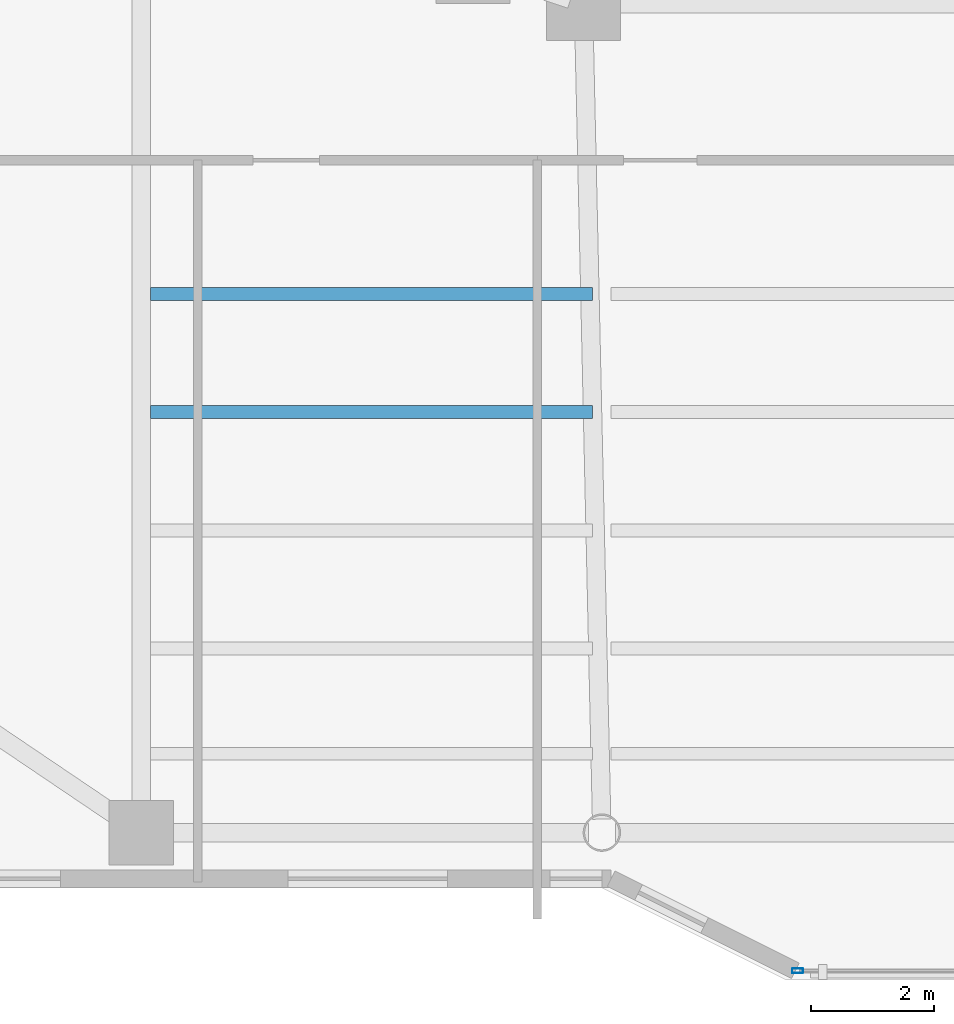
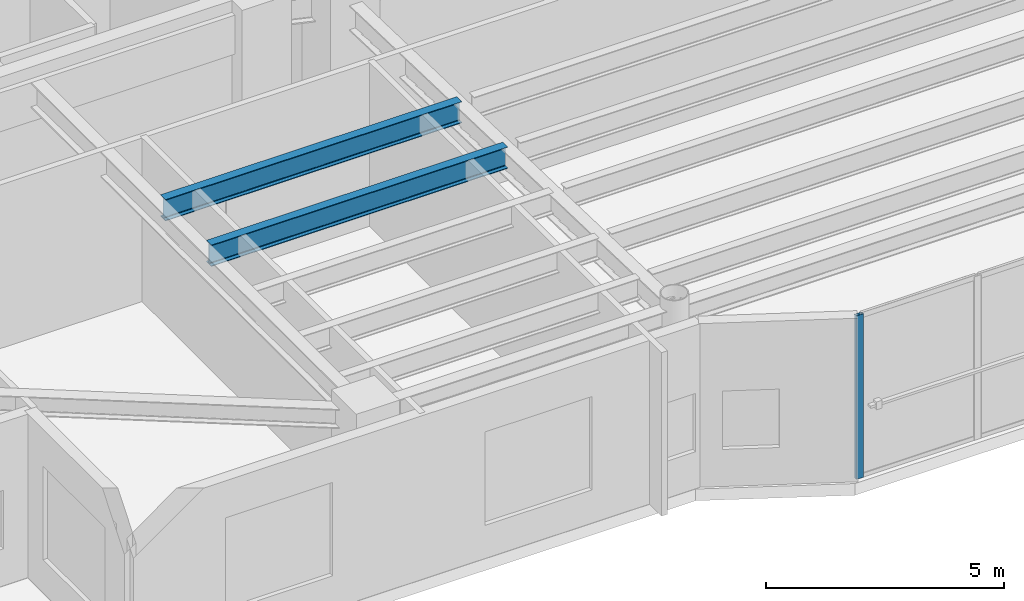
# One storey, part 4 of 37: 2 beams, 1 member, 1 element without a shape of its own.
"""IFC4 building model written with IfcOpenShell, lengths in metres."""

import ifcopenshell
import ifcopenshell.guid

model = None  # the IFC model being written
_history = None  # IfcOwnerHistory: only IFC2X3 demands one
_inside = {}  # id of a spatial element -> (the spatial element, [elements in it])
_under = {}  # id of a project, library or spatial element -> (it, [spatial elements below it])
_declared = {}  # id of a project -> (the project, [libraries it declares])
_typed = {}  # id of a type object -> (the type object, [elements of that type])
_made_of = {}  # id of a material, layer set ... -> (it, [elements and type objects made of it])


def new_model(schema):
    """Start an empty IFC model of exactly this schema.

    Asked for "IFC4X3", IfcOpenShell would pick the latest addendum, in which some entities
    have other attributes; the version numbers below select the first issue.
    IFC2X3 requires an IfcOwnerHistory on every rooted entity: one is made here for all.
    """
    global model, _history
    if schema == "IFC4X3":
        model = ifcopenshell.file(schema_version=(4, 3, 0, 0))
    else:
        model = ifcopenshell.file(schema=schema)
    _inside.clear()
    _under.clear()
    _declared.clear()
    _typed.clear()
    _made_of.clear()
    _history = None
    if model.schema == "IFC2X3":
        org = make("IfcOrganization", Name="unknown")
        user = make(
            "IfcPersonAndOrganization",
            ThePerson=make("IfcPerson", FamilyName="unknown"),
            TheOrganization=org,
        )
        app = make(
            "IfcApplication",
            ApplicationDeveloper=org,
            Version="unknown",
            ApplicationFullName="unknown",
            ApplicationIdentifier="unknown",
        )
        _history = make(
            "IfcOwnerHistory",
            OwningUser=user,
            OwningApplication=app,
            ChangeAction="ADDED",
            CreationDate=0,
        )
    return model


def make(cls, **values):
    """One entity of the class cls with the attributes given. An attribute that is None is left unset."""
    return model.create_entity(
        cls, **{name: value for name, value in values.items() if value is not None}
    )


def rooted(cls, **values):
    """An entity with a GlobalId (a new one), such as an element, a storey or a relation."""
    return make(cls, GlobalId=ifcopenshell.guid.new(), OwnerHistory=_history, **values)


def si_unit(unit_type, name, prefix=None):
    """IfcSIUnit, for example si_unit("LENGTHUNIT", "METRE", prefix="MILLI")."""
    return make("IfcSIUnit", UnitType=unit_type, Prefix=prefix, Name=name)


def assignment(units):
    """IfcUnitAssignment: the units of a project."""
    return None if units is None else make("IfcUnitAssignment", Units=units)


def point(xyz):
    """IfcCartesianPoint."""
    return None if xyz is None else make("IfcCartesianPoint", Coordinates=xyz)


def direction(xyz):
    """IfcDirection."""
    return None if xyz is None else make("IfcDirection", DirectionRatios=xyz)


def frame(location, z_axis=None, x_axis=None):
    """IfcAxis2Placement3D, a coordinate frame: its origin and axes. An axis left out is left unset."""
    return make(
        "IfcAxis2Placement3D",
        Location=point(location),
        Axis=direction(z_axis),
        RefDirection=direction(x_axis),
    )


def frame_2d(location, x_axis=None):
    """IfcAxis2Placement2D, a coordinate frame in the plane: its origin and x axis."""
    return make(
        "IfcAxis2Placement2D", Location=point(location), RefDirection=direction(x_axis)
    )


def origin():
    """The frame at (0, 0, 0) with its axes left unset."""
    return frame((0.0, 0.0, 0.0))


def origin_2d():
    """The frame at (0, 0) in the plane with its x axis left unset."""
    return frame_2d((0.0, 0.0))


def place(relative_to, where):
    """IfcLocalPlacement: puts the frame where relative to a parent placement (None: the world)."""
    return make(
        "IfcLocalPlacement", PlacementRelTo=relative_to, RelativePlacement=where
    )


def context(
    kind, dimensions, precision=None, world=None, true_north=None, identifier=None
):
    """IfcGeometricRepresentationContext, for example the 3D "Model" context."""
    return make(
        "IfcGeometricRepresentationContext",
        ContextIdentifier=identifier,
        ContextType=kind,
        CoordinateSpaceDimension=dimensions,
        Precision=precision,
        WorldCoordinateSystem=world,
        TrueNorth=true_north,
    )


def subcontext(parent, identifier, kind, view, scale=None):
    """IfcGeometricRepresentationSubContext, for example "Body" below "Model"."""
    return make(
        "IfcGeometricRepresentationSubContext",
        ContextIdentifier=identifier,
        ContextType=kind,
        ParentContext=parent,
        TargetScale=scale,
        TargetView=view,
    )


def project(units=None, contexts=None):
    """IfcProject with its units and contexts."""
    return rooted(
        "IfcProject",
        Name="project",
        RepresentationContexts=contexts,
        UnitsInContext=assignment(units),
    )


def spatial(cls, under=None, at=None, **own):
    """A site, building, storey or space (cls), placed at a placement, below another one or the project."""
    s = rooted(cls, ObjectPlacement=at, **own)
    if under is not None:
        _under.setdefault(under.id(), (under, []))[1].append(s)
    return s


def profile(cls, at=None, kind="AREA", **sizes):
    """A parametric profile (cls). Its sizes go by their IFC names, for example OverallWidth=200.0."""
    return make(cls, ProfileType=kind, Position=at, **sizes)


def hollow_rectangle(**sizes):
    """IfcRectangleHollowProfileDef."""
    return profile("IfcRectangleHollowProfileDef", **sizes)


def i_section(**sizes):
    """IfcIShapeProfileDef."""
    return profile("IfcIShapeProfileDef", **sizes)


def extrude(swept, where, along, depth):
    """IfcExtrudedAreaSolid: the profile swept, set in the frame where, extruded along a direction by depth."""
    return make(
        "IfcExtrudedAreaSolid",
        SweptArea=swept,
        Position=where,
        ExtrudedDirection=direction(along),
        Depth=depth,
    )


def shape(context_of_items, identifier, shape_type, items):
    """IfcShapeRepresentation: the items that make up one representation, for example the "Body"."""
    return make(
        "IfcShapeRepresentation",
        ContextOfItems=context_of_items,
        RepresentationIdentifier=identifier,
        RepresentationType=shape_type,
        Items=items,
    )


def material(Name=None, Category=None):
    """IfcMaterial."""
    return make("IfcMaterial", Name=Name, Category=Category)


def layer(
    of_material, thickness, ventilated=None, Name=None, Category=None, Priority=None
):
    """IfcMaterialLayer: one layer of a wall or slab, of a material (None: an air gap)."""
    return make(
        "IfcMaterialLayer",
        Material=of_material,
        LayerThickness=thickness,
        IsVentilated=ventilated,
        Name=Name,
        Category=Category,
        Priority=Priority,
    )


def layer_set(layers, Name=None):
    """IfcMaterialLayerSet."""
    return make("IfcMaterialLayerSet", MaterialLayers=layers, LayerSetName=Name)


def material_profile(
    of_material, cross_section, Name=None, Category=None, Priority=None
):
    """IfcMaterialProfile: a cross section and its material."""
    return make(
        "IfcMaterialProfile",
        Name=Name,
        Material=of_material,
        Profile=cross_section,
        Priority=Priority,
        Category=Category,
    )


def profile_set(profiles, Name=None, composite=None):
    """IfcMaterialProfileSet."""
    return make(
        "IfcMaterialProfileSet",
        Name=Name,
        MaterialProfiles=profiles,
        CompositeProfile=composite,
    )


def made_of(thing, what):
    """Note that an element or type object is made of a material, layer set ...; save() writes the relation."""
    if what is not None:
        _made_of.setdefault(what.id(), (what, []))[1].append(thing)
    return thing


def type_object(cls, material=None, **own):
    """A type object (cls), such as IfcWallType, which elements share."""
    return made_of(rooted(cls, **own), material)


def element(
    cls,
    number,
    at=None,
    inside=None,
    cuts=None,
    type_object=None,
    material=None,
    context=None,
    identifier="Body",
    shape_type=None,
    held_by="IfcProductDefinitionShape",
    body=None,
    shapes=None,
    **own,
):
    """One element of the class cls, such as IfcWall. Its Tag is "e" and its number.

    at: its placement. inside: the storey or other place that contains it. cuts: it is an
    opening in that element (IfcRelVoidsElement). A single representation is given by context,
    identifier, shape_type and body (its items); several are given by shapes. held_by: the class
    of the entity that holds the representations. save() writes the other relations.
    """
    e = rooted(cls, Tag="e%d" % number, ObjectPlacement=at, **own)
    if body is not None:
        shapes = [shape(context, identifier, shape_type, body)]
    if shapes is not None:
        e.Representation = make(held_by, Representations=shapes)
    if inside is not None:
        _inside.setdefault(inside.id(), (inside, []))[1].append(e)
    if cuts is not None:
        rooted(
            "IfcRelVoidsElement", RelatingBuildingElement=cuts, RelatedOpeningElement=e
        )
    if type_object is not None:
        _typed.setdefault(type_object.id(), (type_object, []))[1].append(e)
    return made_of(e, material)


def aggregate(whole, parts):
    """IfcRelAggregates: a whole, such as a stair, and the parts it consists of."""
    return rooted("IfcRelAggregates", RelatingObject=whole, RelatedObjects=parts)


def save(model, path):
    """Write the relations noted so far, then the file.

    IfcRelAggregates (storeys below a building ...), IfcRelContainedInSpatialStructure (elements
    in a storey), IfcRelDefinesByType, IfcRelAssociatesMaterial and IfcRelDeclares: one each for
    every whole, place, type object, material and project.
    """
    for whole, parts in _under.values():
        aggregate(whole, parts)
    for where, things in _inside.values():
        rooted(
            "IfcRelContainedInSpatialStructure",
            RelatedElements=things,
            RelatingStructure=where,
        )
    for kind, things in _typed.values():
        rooted("IfcRelDefinesByType", RelatedObjects=things, RelatingType=kind)
    for what, things in _made_of.values():
        rooted("IfcRelAssociatesMaterial", RelatedObjects=things, RelatingMaterial=what)
    for by, libraries in _declared.values():
        rooted("IfcRelDeclares", RelatingContext=by, RelatedDefinitions=libraries)
    model.write(path)


model = new_model("IFC4")

# Units and contexts
model_context = context("Model", 3, precision=1e-05, world=origin(), true_north=direction((0.0, 1.0)))
body_context = subcontext(model_context, "Body", "Model", "MODEL_VIEW")
ifc_project = project(units=[si_unit("LENGTHUNIT", "METRE"), si_unit("AREAUNIT", "SQUARE_METRE"), si_unit("VOLUMEUNIT", "CUBIC_METRE"), si_unit("PLANEANGLEUNIT", "RADIAN"), si_unit("MASSUNIT", "GRAM", prefix="KILO")], contexts=[model_context])

# Site, building, storey
site_placement = place(None, origin())
site = spatial("IfcSite", under=ifc_project, at=site_placement, CompositionType="ELEMENT")
building_placement = place(site_placement, origin())
building = spatial("IfcBuilding", under=site, at=building_placement, Name="Tarnavaz Court Tower", CompositionType="ELEMENT")
storey_placement = place(building_placement, frame((0.0, 0.0, 118.5)))
storey = spatial("IfcBuildingStorey", under=building, at=storey_placement, Name="L32", CompositionType="ELEMENT", Elevation=118.5)

# Beams
ifc_material_1 = material(Name="Steel S355", Category="steel")
ifc_material_profile_1 = material_profile(ifc_material_1, i_section(OverallWidth=0.2099609375, OverallDepth=0.550048828125, WebThickness=0.010986328125, FlangeThickness=0.01708984375, FilletRadius=0.02392578125, at=origin_2d()), Name="IPE 550")
ifc_profile_set_1 = profile_set([ifc_material_profile_1], Name="Steel S355")
beam_type = type_object("IfcBeamType", Name="BM-J-IPE550", PredefinedType="JOIST", material=ifc_profile_set_1)
for number, where, z_axis, x_axis, name in (
    (1, (-14.85009765625, -12.52587890625, 3.925048828125), (1.0, 0.0, 0.0), (0.0, 1.0, 0.0), "L32 Beam JS1-1"),
    (2, (-14.85009765625, -14.451904296875, 3.925048828125), (1.0, 0.0, 0.0), (0.0, 1.0, 0.0), "L32 Beam JS2-1"),
):
    element("IfcBeam", number, at=place(storey_placement, frame(where, z_axis=z_axis, x_axis=x_axis)), inside=storey, type_object=beam_type, Name=name, PredefinedType="JOIST", context=body_context, shape_type="SweptSolid", body=[
        extrude(i_section(OverallWidth=0.2099609375, OverallDepth=0.550048828125, WebThickness=0.010986328125, FlangeThickness=0.01708984375, FilletRadius=0.02392578125, at=origin_2d()), origin(), (0.0, 0.0, 1.0), 7.2001953125),
    ])

# Curtain wall, member
ifc_material_2 = material(Name="Anodised Aluminium 6063-T6 and Solar Low-E Glazing", Category="aluminium")
ifc_layer = layer(ifc_material_2, 0.179931640625)
ifc_layer_set = layer_set([ifc_layer], Name="Anodised Aluminium 6063-T6 and Solar Low-E Glazing")
curtain_wall_type = type_object("IfcCurtainWallType", Name="CW-SYS-02", PredefinedType="NOTDEFINED", material=ifc_layer_set)
curtain_wall_placement = place(storey_placement, origin())
curtain_wall = element("IfcCurtainWall", 3, at=curtain_wall_placement, inside=storey, type_object=curtain_wall_type, Name="L32 Iwan Prow Curtain Wall 17", PredefinedType="NOTDEFINED")
ifc_material_3 = material(Name="Anodised Aluminium 6063-T6", Category="aluminium")
ifc_material_profile_2 = material_profile(ifc_material_3, hollow_rectangle(XDim=0.074951171875, YDim=0.179931640625, WallThickness=0.0048828125, InnerFilletRadius=0.0048828125, OuterFilletRadius=0.010009765625, at=origin_2d()), Name="ALU RHS 180X75X5")
ifc_profile_set_2 = profile_set([ifc_material_profile_2], Name="Anodised Aluminium 6063-T6")
member_type = type_object("IfcMemberType", Name="CW-MUL-180", PredefinedType="MULLION", material=ifc_profile_set_2)
member_placement = place(storey_placement, frame((-4.3125, -23.550048828125, 0.0), z_axis=(0.0, 0.0, 1.0), x_axis=(0.0, -1.0, 0.0)))
member = element("IfcMember", 4, at=member_placement, type_object=member_type, Name="CW mullion 4", PredefinedType="MULLION", context=body_context, shape_type="SweptSolid", body=[
    extrude(hollow_rectangle(XDim=0.074951171875, YDim=0.179931640625, WallThickness=0.0048828125, InnerFilletRadius=0.0048828125, OuterFilletRadius=0.010009765625, at=origin_2d()), origin(), (0.0, 0.0, 1.0), 4.199951171875),
])
aggregate(curtain_wall, [member])

save(model, "model.ifc")
